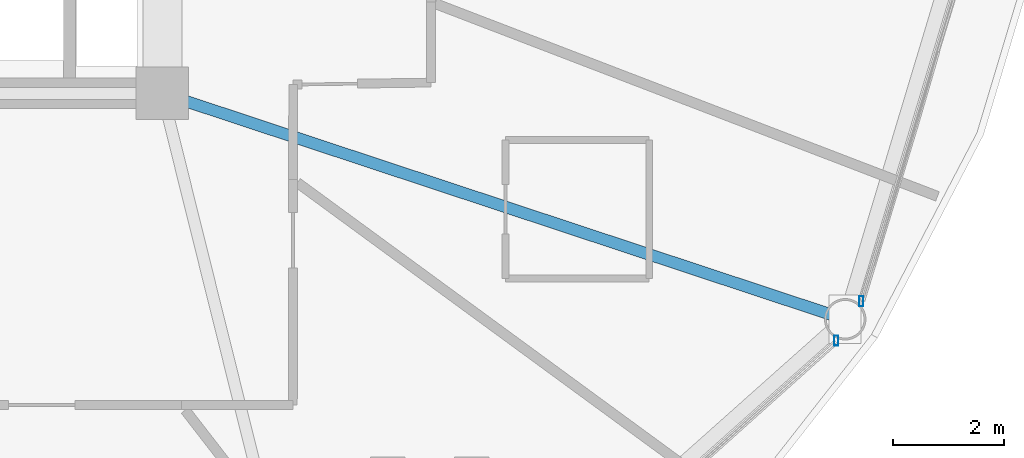
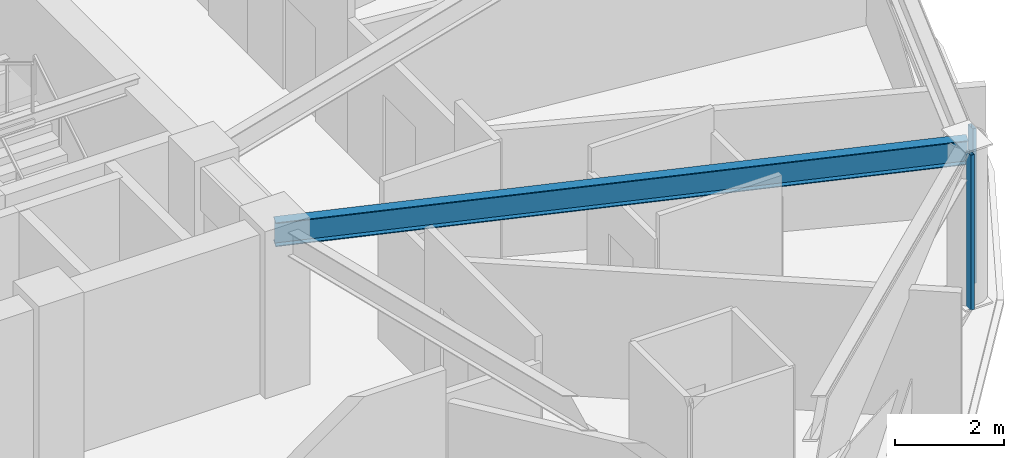
# One storey, part 11 of 31: 2 members, 1 beam, 2 elements without a shape of their own.
"""IFC4 building model written with IfcOpenShell, lengths in metres."""

from ifc_helpers import new_model, si_unit, direction, frame, origin, origin_2d, place, context, subcontext, project, spatial, hollow_rectangle, i_section, extrude, material, layer, layer_set, material_profile, profile_set, type_object, element, aggregate, save


model = new_model("IFC4")

# Units and contexts
model_context = context("Model", 3, precision=1e-05, world=origin(), true_north=direction((0.0, 1.0)))
body_context = subcontext(model_context, "Body", "Model", "MODEL_VIEW")
ifc_project = project(units=[si_unit("LENGTHUNIT", "METRE"), si_unit("AREAUNIT", "SQUARE_METRE"), si_unit("VOLUMEUNIT", "CUBIC_METRE"), si_unit("PLANEANGLEUNIT", "RADIAN"), si_unit("MASSUNIT", "GRAM", prefix="KILO")], contexts=[model_context])

# Site, building, storey
site_placement = place(None, origin())
site = spatial("IfcSite", under=ifc_project, at=site_placement, CompositionType="ELEMENT")
building_placement = place(site_placement, origin())
building = spatial("IfcBuilding", under=site, at=building_placement, Name="Vantalir Tower", CompositionType="ELEMENT")
storey_placement = place(building_placement, frame((0.0, 0.0, 123.449951171875)))
storey = spatial("IfcBuildingStorey", under=building, at=storey_placement, Name="L30", CompositionType="ELEMENT", Elevation=123.449951171875)

# Beam
ifc_material_1 = material(Name="Steel S355", Category="steel")
ifc_material_profile_1 = material_profile(ifc_material_1, i_section(OverallWidth=0.2109375, OverallDepth=0.5390625, WebThickness=0.01171875, FlangeThickness=0.018798828125, at=origin_2d()), Name="Steel S355")
ifc_profile_set_1 = profile_set([ifc_material_profile_1], Name="Steel S355")
beam_type = type_object("IfcBeamType", Name="BM-RB-533x210", PredefinedType="BEAM", material=ifc_profile_set_1)
beam_placement = place(storey_placement, frame((53.445068359375, 13.717041015625, 3.300048828125), z_axis=(-0.949418619953, 0.314013190944, 0.0), x_axis=(-0.314013190944, -0.949418619953, 0.0)))
element("IfcBeam", 1, at=beam_placement, inside=storey, type_object=beam_type, Name="L30 Radial Floor Beam 12", PredefinedType="BEAM", context=body_context, shape_type="SweptSolid", body=[
    extrude(i_section(OverallWidth=0.2109375, OverallDepth=0.5390625, WebThickness=0.01171875, FlangeThickness=0.018798828125, at=origin_2d()), origin(), (0.0, 0.0, 1.0), 13.002685546875),
])

# Curtain wall, member
ifc_material_2 = material(Name="Champagne-silver PVDF aluminium and double-silver Low-E glass", Category="aluminium")
ifc_layer = layer(ifc_material_2, 0.199951171875)
ifc_layer_set = layer_set([ifc_layer], Name="Champagne-silver PVDF aluminium and double-silver Low-E glass")
curtain_wall_type = type_object("IfcCurtainWallType", Name="CW-DIAMOND-Z2", PredefinedType="USERDEFINED", material=ifc_layer_set)
curtain_wall_1_placement = place(storey_placement, origin())
curtain_wall_1 = element("IfcCurtainWall", 2, at=curtain_wall_1_placement, inside=storey, type_object=curtain_wall_type, Name="L30 Quilted Pyramid-Diamond Curtain Wall S11", ObjectType="UNITISED CURTAIN WALL", PredefinedType="USERDEFINED")
ifc_material_3 = material(Name="Champagne-silver PVDF aluminium 6063-T6", Category="aluminium")
ifc_material_profile_2 = material_profile(ifc_material_3, hollow_rectangle(XDim=0.074951171875, YDim=0.179931640625, WallThickness=0.00390625, at=origin_2d()), Name="Champagne-silver PVDF aluminium 6063-T6")
ifc_profile_set_2 = profile_set([ifc_material_profile_2], Name="Champagne-silver PVDF aluminium 6063-T6")
member_type = type_object("IfcMemberType", Name="CWM-180x75", PredefinedType="MULLION", material=ifc_profile_set_2)
member_1_placement = place(storey_placement, frame((53.281982421875, 13.3291015625, 0.045166015625), z_axis=(0.0, 0.0, 1.0), x_axis=(1.0, 0.0, 0.0)))
member_1 = element("IfcMember", 3, at=member_1_placement, type_object=member_type, Name="CW-L30-S11 Mullion 2", PredefinedType="MULLION", context=body_context, shape_type="SweptSolid", body=[
    extrude(hollow_rectangle(XDim=0.074951171875, YDim=0.179931640625, WallThickness=0.00390625, at=origin_2d()), origin(), (0.0, 0.0, 1.0), 3.47998046875),
])
aggregate(curtain_wall_1, [member_1])

curtain_wall_2_placement = place(storey_placement, origin())
curtain_wall_2 = element("IfcCurtainWall", 4, at=curtain_wall_2_placement, inside=storey, type_object=curtain_wall_type, Name="L30 Quilted Pyramid-Diamond Curtain Wall S12", ObjectType="UNITISED CURTAIN WALL", PredefinedType="USERDEFINED")
member_2_placement = place(storey_placement, frame((53.737060546875, 14.04296875, 0.045166015625), z_axis=(0.0, 0.0, 1.0), x_axis=(1.0, 0.0, 0.0)))
member_2 = element("IfcMember", 5, at=member_2_placement, type_object=member_type, Name="CW-L30-S12 Mullion 1", PredefinedType="MULLION", context=body_context, shape_type="SweptSolid", body=[
    extrude(hollow_rectangle(XDim=0.074951171875, YDim=0.179931640625, WallThickness=0.00390625, at=origin_2d()), origin(), (0.0, 0.0, 1.0), 3.47998046875),
])
aggregate(curtain_wall_2, [member_2])

save(model, "model.ifc")
